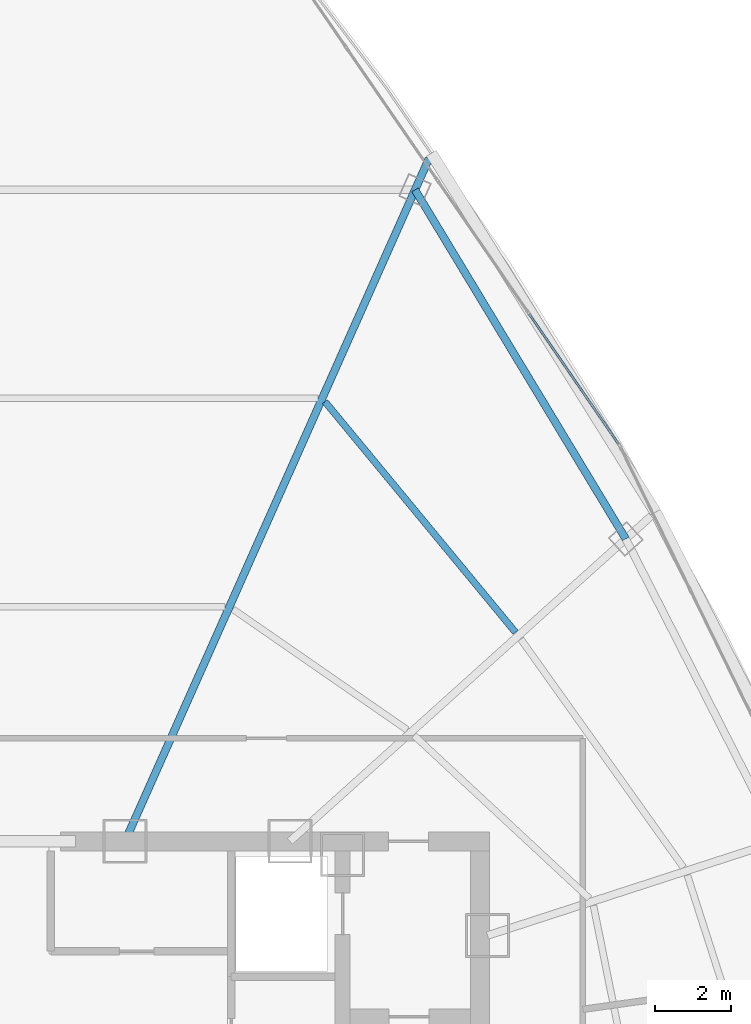
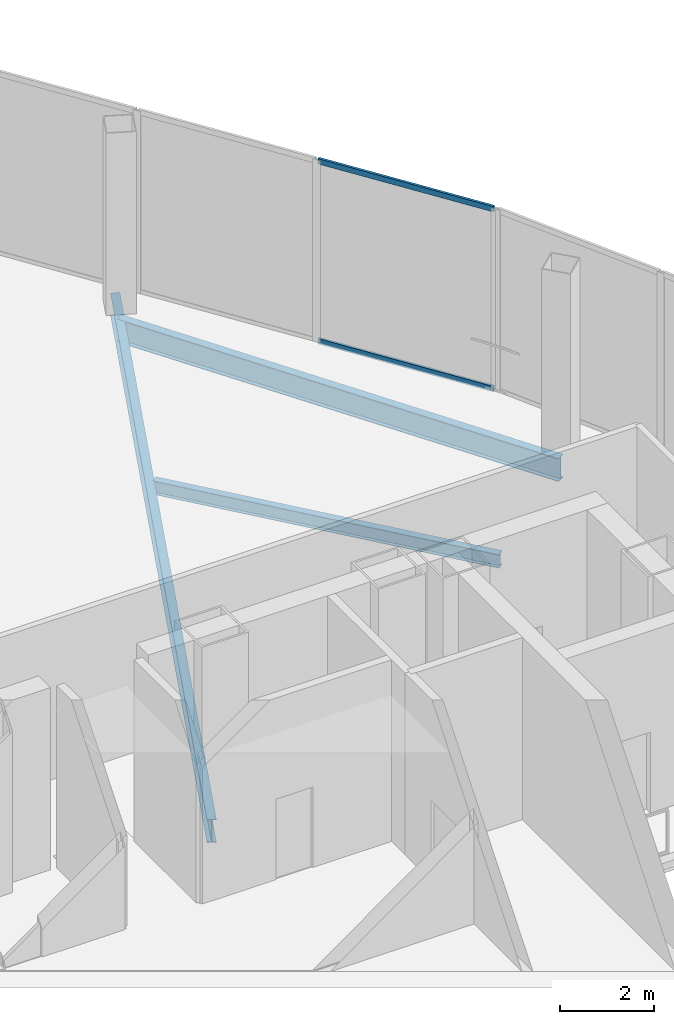
# One storey, part 21 of 32: 3 beams, 2 members, 1 element without a shape of its own.
"""IFC4 building model written with IfcOpenShell, lengths in metres."""

from ifc_helpers import new_model, si_unit, direction, frame, origin, origin_2d, place, context, subcontext, project, spatial, hollow_rectangle, i_section, extrude, source, transform, mapped, material, layer, layer_set, material_profile, profile_set, type_object, element, aggregate, save


model = new_model("IFC4")

# Units and contexts
model_context = context("Model", 3, precision=1e-05, world=origin(), true_north=direction((0.0, 1.0)))
body_context = subcontext(model_context, "Body", "Model", "MODEL_VIEW")
ifc_project = project(units=[si_unit("LENGTHUNIT", "METRE"), si_unit("AREAUNIT", "SQUARE_METRE"), si_unit("VOLUMEUNIT", "CUBIC_METRE"), si_unit("PLANEANGLEUNIT", "RADIAN"), si_unit("MASSUNIT", "GRAM", prefix="KILO"), si_unit("THERMODYNAMICTEMPERATUREUNIT", "KELVIN"), si_unit("POWERUNIT", "WATT")], contexts=[model_context])

# Site, building, storey
site_placement = place(None, origin())
site = spatial("IfcSite", under=ifc_project, at=site_placement, CompositionType="ELEMENT")
building_placement = place(site_placement, origin())
building = spatial("IfcBuilding", under=site, at=building_placement, Name="Yunzhuo Pagoda Commons", CompositionType="ELEMENT")
storey_placement = place(building_placement, frame((0.0, 0.0, 396.760009765625)))
storey = spatial("IfcBuildingStorey", under=building, at=storey_placement, Name="L98", CompositionType="ELEMENT", Elevation=396.760009765625)

# Beams
ifc_material_1 = material(Name="Structural steel Q355B", Category="steel")
ifc_material_profile_1 = material_profile(ifc_material_1, i_section(OverallWidth=0.199951171875, OverallDepth=0.60009765625, WebThickness=0.010986328125, FlangeThickness=0.01708984375, at=origin_2d()), Name="Structural steel Q355B")
ifc_profile_set_1 = profile_set([ifc_material_profile_1], Name="Structural steel Q355B")
beam_type_1 = type_object("IfcBeamType", Name="B-RG3 Beam HN 600x200x11x17", PredefinedType="BEAM", material=ifc_profile_set_1)
shared_shape_1 = source(origin(), body_context, "Body", "SweptSolid", [
    extrude(i_section(OverallWidth=0.199951171875, OverallDepth=0.60009765625, WebThickness=0.010986328125, FlangeThickness=0.01708984375, at=origin_2d()), origin(), (0.0, 0.0, 1.0), 10.691162109375),
])
beam_1_placement = place(storey_placement, frame((64.024658203125, 48.128662109375, -0.580078125), z_axis=(-0.516864678433, 0.856067114301, 0.0), x_axis=(-0.856067114301, -0.516864678433, 0.0)))
element("IfcBeam", 1, at=beam_1_placement, inside=storey, type_object=beam_type_1, Name="L98 column-ring beam 7", PredefinedType="BEAM", context=body_context, shape_type="MappedRepresentation", body=[
    mapped(shared_shape_1, transform((0.0, 0.0, 0.0), scale=1.0)),
])
ifc_material_profile_2 = material_profile(ifc_material_1, i_section(OverallWidth=0.175048828125, OverallDepth=0.35009765625, WebThickness=0.007080078125, FlangeThickness=0.010986328125, at=origin_2d()), Name="Structural steel Q355B")
ifc_profile_set_2 = profile_set([ifc_material_profile_2], Name="Structural steel Q355B")
beam_type_2 = type_object("IfcBeamType", Name="B-JS2 Joist HN 350x175x7x11", PredefinedType="JOIST", material=ifc_profile_set_2)
shared_shape_2 = source(origin(), body_context, "Body", "SweptSolid", [
    extrude(i_section(OverallWidth=0.175048828125, OverallDepth=0.35009765625, WebThickness=0.007080078125, FlangeThickness=0.010986328125, at=origin_2d()), origin(), (0.0, 0.0, 1.0), 7.842529296875),
])
beam_2_placement = place(storey_placement, frame((61.133544921875, 45.68017578125, -0.455078125), z_axis=(-0.636899145749, 0.770947130577, 0.0), x_axis=(-0.770947130577, -0.636899145749, 0.0)))
element("IfcBeam", 2, at=beam_2_placement, inside=storey, type_object=beam_type_2, Name="L98 composite ring joist 2.7", PredefinedType="JOIST", context=body_context, shape_type="MappedRepresentation", body=[
    mapped(shared_shape_2, transform((0.0, 0.0, 0.0), scale=1.0)),
])
shared_shape_3 = source(origin(), body_context, "Body", "SweptSolid", [
    extrude(i_section(OverallWidth=0.199951171875, OverallDepth=0.60009765625, WebThickness=0.010986328125, FlangeThickness=0.01708984375, at=origin_2d()), origin(), (0.0, 0.0, 1.0), 19.59228515625),
])
beam_3_placement = place(storey_placement, frame((58.86279296875, 58.098388671875, -0.580078125), z_axis=(-0.406730347382, -0.91354826064, 0.0), x_axis=(0.91354826064, -0.406730347382, 0.0)))
element("IfcBeam", 3, at=beam_3_placement, inside=storey, type_object=beam_type_1, Name="L98 radial floor girder F2C4", PredefinedType="BEAM", context=body_context, shape_type="MappedRepresentation", body=[
    mapped(shared_shape_3, transform((0.0, 0.0, 0.0), scale=1.0)),
])

# Curtain wall, members
ifc_material_2 = material(Name="Anodized aluminium 6063-T6", Category="aluminium")
ifc_layer = layer(ifc_material_2, 0.179931640625)
ifc_layer_set = layer_set([ifc_layer], Name="Anodized aluminium 6063-T6")
curtain_wall_type = type_object("IfcCurtainWallType", Name="CW-CRN Crown Gable Glazing System", PredefinedType="NOTDEFINED", material=ifc_layer_set)
curtain_wall_placement = place(storey_placement, origin())
curtain_wall = element("IfcCurtainWall", 4, at=curtain_wall_placement, inside=storey, type_object=curtain_wall_type, Name="L98 curtain wall CW-L98-CRNF2G2", PredefinedType="NOTDEFINED")
ifc_material_profile_3 = material_profile(ifc_material_2, hollow_rectangle(XDim=0.06005859375, YDim=0.139892578125, WallThickness=0.00341796875, at=origin_2d()), Name="Anodized aluminium 6063-T6")
ifc_profile_set_3 = profile_set([ifc_material_profile_3], Name="Anodized aluminium 6063-T6")
member_type = type_object("IfcMemberType", Name="CW-CRN-T Transom RHS 140x60x3.5", PredefinedType="USERDEFINED", material=ifc_profile_set_3)
shared_shape_4 = source(origin(), body_context, "Body", "SweptSolid", [
    extrude(hollow_rectangle(XDim=0.06005859375, YDim=0.139892578125, WallThickness=0.00341796875, at=origin_2d()), origin(), (0.0, 0.0, 1.0), 4.125244140625),
])
member_1_placement = place(storey_placement, frame((63.82861328125, 50.6259765625, 0.030029296875), z_axis=(-0.566146975172, 0.824304314258, 0.0), x_axis=(-0.824304314258, -0.566146975172, 0.0)))
member_1 = element("IfcMember", 5, at=member_1_placement, type_object=member_type, Name="CW transom 1.1", ObjectType="TRANSOM", PredefinedType="USERDEFINED", context=body_context, shape_type="MappedRepresentation", body=[
    mapped(shared_shape_4, transform((0.0, 0.0, 0.0), scale=1.0)),
])
member_2_placement = place(storey_placement, frame((63.82861328125, 50.6259765625, 4.68994140625), z_axis=(-0.566146975172, 0.824304314258, 0.0), x_axis=(-0.824304314258, -0.566146975172, 0.0)))
member_2 = element("IfcMember", 6, at=member_2_placement, type_object=member_type, Name="CW transom 1.2", ObjectType="TRANSOM", PredefinedType="USERDEFINED", context=body_context, shape_type="MappedRepresentation", body=[
    mapped(shared_shape_4, transform((0.0, 0.0, 0.0), scale=1.0)),
])
aggregate(curtain_wall, [member_1, member_2])

save(model, "model.ifc")
